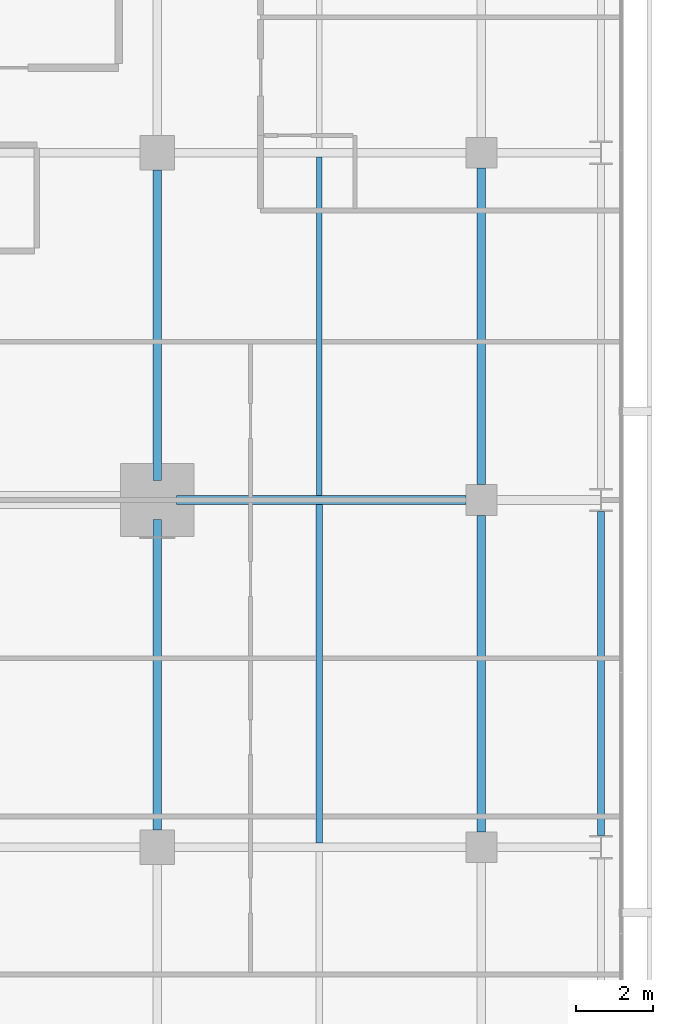
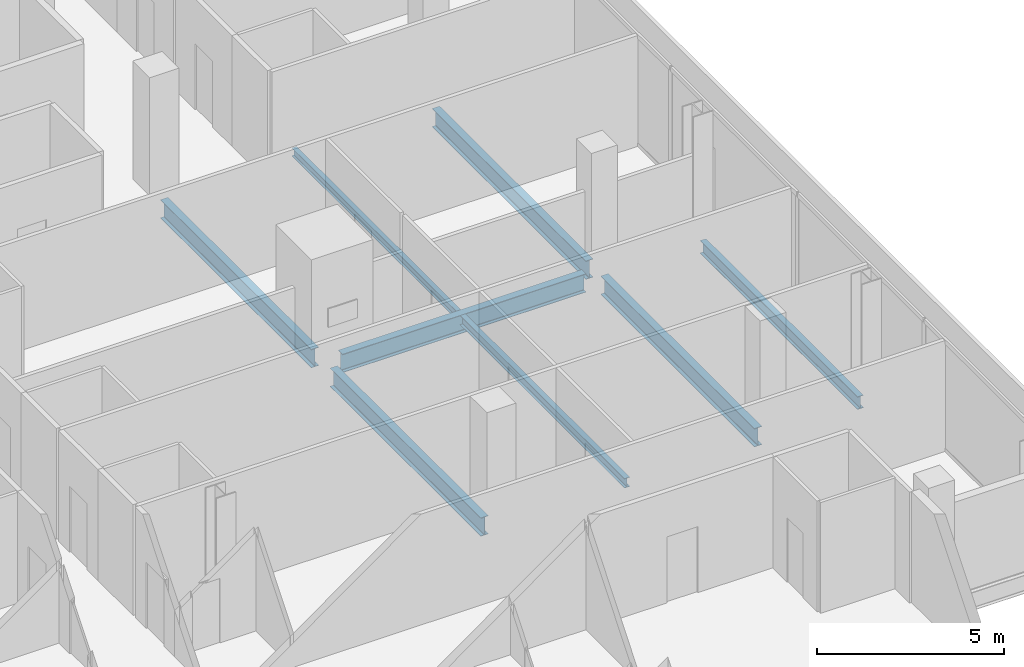
# One storey, part 16 of 34: 8 beams.
"""IFC4 building model written with IfcOpenShell, lengths in metres."""

import ifcopenshell
import ifcopenshell.guid

model = None  # the IFC model being written
_history = None  # IfcOwnerHistory: only IFC2X3 demands one
_inside = {}  # id of a spatial element -> (the spatial element, [elements in it])
_under = {}  # id of a project, library or spatial element -> (it, [spatial elements below it])
_declared = {}  # id of a project -> (the project, [libraries it declares])
_typed = {}  # id of a type object -> (the type object, [elements of that type])
_made_of = {}  # id of a material, layer set ... -> (it, [elements and type objects made of it])


def new_model(schema):
    """Start an empty IFC model of exactly this schema.

    Asked for "IFC4X3", IfcOpenShell would pick the latest addendum, in which some entities
    have other attributes; the version numbers below select the first issue.
    IFC2X3 requires an IfcOwnerHistory on every rooted entity: one is made here for all.
    """
    global model, _history
    if schema == "IFC4X3":
        model = ifcopenshell.file(schema_version=(4, 3, 0, 0))
    else:
        model = ifcopenshell.file(schema=schema)
    _inside.clear()
    _under.clear()
    _declared.clear()
    _typed.clear()
    _made_of.clear()
    _history = None
    if model.schema == "IFC2X3":
        org = make("IfcOrganization", Name="unknown")
        user = make(
            "IfcPersonAndOrganization",
            ThePerson=make("IfcPerson", FamilyName="unknown"),
            TheOrganization=org,
        )
        app = make(
            "IfcApplication",
            ApplicationDeveloper=org,
            Version="unknown",
            ApplicationFullName="unknown",
            ApplicationIdentifier="unknown",
        )
        _history = make(
            "IfcOwnerHistory",
            OwningUser=user,
            OwningApplication=app,
            ChangeAction="ADDED",
            CreationDate=0,
        )
    return model


def make(cls, **values):
    """One entity of the class cls with the attributes given. An attribute that is None is left unset."""
    return model.create_entity(
        cls, **{name: value for name, value in values.items() if value is not None}
    )


def rooted(cls, **values):
    """An entity with a GlobalId (a new one), such as an element, a storey or a relation."""
    return make(cls, GlobalId=ifcopenshell.guid.new(), OwnerHistory=_history, **values)


def si_unit(unit_type, name, prefix=None):
    """IfcSIUnit, for example si_unit("LENGTHUNIT", "METRE", prefix="MILLI")."""
    return make("IfcSIUnit", UnitType=unit_type, Prefix=prefix, Name=name)


def assignment(units):
    """IfcUnitAssignment: the units of a project."""
    return None if units is None else make("IfcUnitAssignment", Units=units)


def point(xyz):
    """IfcCartesianPoint."""
    return None if xyz is None else make("IfcCartesianPoint", Coordinates=xyz)


def direction(xyz):
    """IfcDirection."""
    return None if xyz is None else make("IfcDirection", DirectionRatios=xyz)


def frame(location, z_axis=None, x_axis=None):
    """IfcAxis2Placement3D, a coordinate frame: its origin and axes. An axis left out is left unset."""
    return make(
        "IfcAxis2Placement3D",
        Location=point(location),
        Axis=direction(z_axis),
        RefDirection=direction(x_axis),
    )


def frame_2d(location, x_axis=None):
    """IfcAxis2Placement2D, a coordinate frame in the plane: its origin and x axis."""
    return make(
        "IfcAxis2Placement2D", Location=point(location), RefDirection=direction(x_axis)
    )


def origin():
    """The frame at (0, 0, 0) with its axes left unset."""
    return frame((0.0, 0.0, 0.0))


def origin_2d():
    """The frame at (0, 0) in the plane with its x axis left unset."""
    return frame_2d((0.0, 0.0))


def place(relative_to, where):
    """IfcLocalPlacement: puts the frame where relative to a parent placement (None: the world)."""
    return make(
        "IfcLocalPlacement", PlacementRelTo=relative_to, RelativePlacement=where
    )


def context(
    kind, dimensions, precision=None, world=None, true_north=None, identifier=None
):
    """IfcGeometricRepresentationContext, for example the 3D "Model" context."""
    return make(
        "IfcGeometricRepresentationContext",
        ContextIdentifier=identifier,
        ContextType=kind,
        CoordinateSpaceDimension=dimensions,
        Precision=precision,
        WorldCoordinateSystem=world,
        TrueNorth=true_north,
    )


def subcontext(parent, identifier, kind, view, scale=None):
    """IfcGeometricRepresentationSubContext, for example "Body" below "Model"."""
    return make(
        "IfcGeometricRepresentationSubContext",
        ContextIdentifier=identifier,
        ContextType=kind,
        ParentContext=parent,
        TargetScale=scale,
        TargetView=view,
    )


def project(units=None, contexts=None):
    """IfcProject with its units and contexts."""
    return rooted(
        "IfcProject",
        Name="project",
        RepresentationContexts=contexts,
        UnitsInContext=assignment(units),
    )


def spatial(cls, under=None, at=None, **own):
    """A site, building, storey or space (cls), placed at a placement, below another one or the project."""
    s = rooted(cls, ObjectPlacement=at, **own)
    if under is not None:
        _under.setdefault(under.id(), (under, []))[1].append(s)
    return s


def profile(cls, at=None, kind="AREA", **sizes):
    """A parametric profile (cls). Its sizes go by their IFC names, for example OverallWidth=200.0."""
    return make(cls, ProfileType=kind, Position=at, **sizes)


def i_section(**sizes):
    """IfcIShapeProfileDef."""
    return profile("IfcIShapeProfileDef", **sizes)


def extrude(swept, where, along, depth):
    """IfcExtrudedAreaSolid: the profile swept, set in the frame where, extruded along a direction by depth."""
    return make(
        "IfcExtrudedAreaSolid",
        SweptArea=swept,
        Position=where,
        ExtrudedDirection=direction(along),
        Depth=depth,
    )


def shape(context_of_items, identifier, shape_type, items):
    """IfcShapeRepresentation: the items that make up one representation, for example the "Body"."""
    return make(
        "IfcShapeRepresentation",
        ContextOfItems=context_of_items,
        RepresentationIdentifier=identifier,
        RepresentationType=shape_type,
        Items=items,
    )


def material(Name=None, Category=None):
    """IfcMaterial."""
    return make("IfcMaterial", Name=Name, Category=Category)


def material_profile(
    of_material, cross_section, Name=None, Category=None, Priority=None
):
    """IfcMaterialProfile: a cross section and its material."""
    return make(
        "IfcMaterialProfile",
        Name=Name,
        Material=of_material,
        Profile=cross_section,
        Priority=Priority,
        Category=Category,
    )


def profile_set(profiles, Name=None, composite=None):
    """IfcMaterialProfileSet."""
    return make(
        "IfcMaterialProfileSet",
        Name=Name,
        MaterialProfiles=profiles,
        CompositeProfile=composite,
    )


def made_of(thing, what):
    """Note that an element or type object is made of a material, layer set ...; save() writes the relation."""
    if what is not None:
        _made_of.setdefault(what.id(), (what, []))[1].append(thing)
    return thing


def type_object(cls, material=None, **own):
    """A type object (cls), such as IfcWallType, which elements share."""
    return made_of(rooted(cls, **own), material)


def element(
    cls,
    number,
    at=None,
    inside=None,
    cuts=None,
    type_object=None,
    material=None,
    context=None,
    identifier="Body",
    shape_type=None,
    held_by="IfcProductDefinitionShape",
    body=None,
    shapes=None,
    **own,
):
    """One element of the class cls, such as IfcWall. Its Tag is "e" and its number.

    at: its placement. inside: the storey or other place that contains it. cuts: it is an
    opening in that element (IfcRelVoidsElement). A single representation is given by context,
    identifier, shape_type and body (its items); several are given by shapes. held_by: the class
    of the entity that holds the representations. save() writes the other relations.
    """
    e = rooted(cls, Tag="e%d" % number, ObjectPlacement=at, **own)
    if body is not None:
        shapes = [shape(context, identifier, shape_type, body)]
    if shapes is not None:
        e.Representation = make(held_by, Representations=shapes)
    if inside is not None:
        _inside.setdefault(inside.id(), (inside, []))[1].append(e)
    if cuts is not None:
        rooted(
            "IfcRelVoidsElement", RelatingBuildingElement=cuts, RelatedOpeningElement=e
        )
    if type_object is not None:
        _typed.setdefault(type_object.id(), (type_object, []))[1].append(e)
    return made_of(e, material)


def aggregate(whole, parts):
    """IfcRelAggregates: a whole, such as a stair, and the parts it consists of."""
    return rooted("IfcRelAggregates", RelatingObject=whole, RelatedObjects=parts)


def save(model, path):
    """Write the relations noted so far, then the file.

    IfcRelAggregates (storeys below a building ...), IfcRelContainedInSpatialStructure (elements
    in a storey), IfcRelDefinesByType, IfcRelAssociatesMaterial and IfcRelDeclares: one each for
    every whole, place, type object, material and project.
    """
    for whole, parts in _under.values():
        aggregate(whole, parts)
    for where, things in _inside.values():
        rooted(
            "IfcRelContainedInSpatialStructure",
            RelatedElements=things,
            RelatingStructure=where,
        )
    for kind, things in _typed.values():
        rooted("IfcRelDefinesByType", RelatedObjects=things, RelatingType=kind)
    for what, things in _made_of.values():
        rooted("IfcRelAssociatesMaterial", RelatedObjects=things, RelatingMaterial=what)
    for by, libraries in _declared.values():
        rooted("IfcRelDeclares", RelatingContext=by, RelatedDefinitions=libraries)
    model.write(path)


model = new_model("IFC4")

# Units and contexts
model_context = context("Model", 3, precision=1e-05, world=origin(), true_north=direction((0.0, 1.0)))
body_context = subcontext(model_context, "Body", "Model", "MODEL_VIEW")
ifc_project = project(units=[si_unit("LENGTHUNIT", "METRE"), si_unit("AREAUNIT", "SQUARE_METRE"), si_unit("VOLUMEUNIT", "CUBIC_METRE"), si_unit("PLANEANGLEUNIT", "RADIAN"), si_unit("MASSUNIT", "GRAM", prefix="KILO")], contexts=[model_context])

# Site, building, storey
site_placement = place(None, origin())
site = spatial("IfcSite", under=ifc_project, at=site_placement, CompositionType="ELEMENT")
building_placement = place(site_placement, origin())
building = spatial("IfcBuilding", under=site, at=building_placement, Name="Maruvema Waterfront Hotel and Observation Tower", CompositionType="ELEMENT")
storey_placement = place(building_placement, frame((0.0, 0.0, 177.449951171875)))
storey = spatial("IfcBuildingStorey", under=building, at=storey_placement, Name="L43", CompositionType="ELEMENT", Elevation=177.449951171875)

# Beams
ifc_material_1 = material(Name="Steel ASTM A572 Grade 50", Category="steel")
ifc_material_profile_1 = material_profile(ifc_material_1, i_section(OverallWidth=0.180908203125, OverallDepth=0.4169921875, WebThickness=0.010986328125, FlangeThickness=0.018310546875, FilletRadius=0.014892578125, at=origin_2d()), Name="W410x85.0")
ifc_profile_set_1 = profile_set([ifc_material_profile_1], Name="Steel ASTM A572 Grade 50")
beam_type_1 = type_object("IfcBeamType", Name="Perimeter Spandrel Beam W410x85.0", PredefinedType="SPANDREL", material=ifc_profile_set_1)
beam_1_placement = place(storey_placement, frame((61.89990234375, 18.300048828125, -0.448486328125), z_axis=(0.0, 1.0, 0.0), x_axis=(-1.0, 0.0, 0.0)))
element("IfcBeam", 1, at=beam_1_placement, inside=storey, type_object=beam_type_1, Name="L43 Floor Girder NS-30", PredefinedType="SPANDREL", context=body_context, shape_type="SweptSolid", body=[
    extrude(i_section(OverallWidth=0.180908203125, OverallDepth=0.4169921875, WebThickness=0.010986328125, FlangeThickness=0.018310546875, FilletRadius=0.014892578125, at=origin_2d()), origin(), (0.0, 0.0, 1.0), 8.39990234375),
])
ifc_material_2 = material(Name="Steel ASTM A572 Grade 50", Category="steel")
ifc_material_profile_2 = material_profile(ifc_material_2, i_section(OverallWidth=0.22802734375, OverallDepth=0.60302734375, WebThickness=0.010498046875, FlangeThickness=0.014892578125, FilletRadius=0.01806640625, at=origin_2d()), Name="W610x101.0")
ifc_profile_set_2 = profile_set([ifc_material_profile_2], Name="Steel ASTM A572 Grade 50")
beam_type_2 = type_object("IfcBeamType", Name="Primary Floor Girder W610x101.0", PredefinedType="BEAM", material=ifc_profile_set_2)
beam_2_placement = place(storey_placement, frame((50.89990234375, 27.0, -0.54150390625), z_axis=(1.0, 0.0, 0.0), x_axis=(0.0, 1.0, 0.0)))
element("IfcBeam", 2, at=beam_2_placement, inside=storey, type_object=beam_type_2, Name="L43 Floor Girder EW-21", PredefinedType="BEAM", context=body_context, shape_type="SweptSolid", body=[
    extrude(i_section(OverallWidth=0.22802734375, OverallDepth=0.60302734375, WebThickness=0.010498046875, FlangeThickness=0.014892578125, FilletRadius=0.01806640625, at=origin_2d()), origin(), (0.0, 0.0, 1.0), 7.5),
])
for number, where, z_axis, x_axis, name in (
    (3, (50.39990234375, 18.449951171875, -0.54150390625), (0.0, 1.0, 0.0), (-1.0, 0.0, 0.0), "L43 Floor Girder NS-22"),
    (4, (50.39990234375, 27.5, -0.54150390625), (0.0, 1.0, 0.0), (-1.0, 0.0, 0.0), "L43 Floor Girder NS-23"),
):
    element("IfcBeam", number, at=place(storey_placement, frame(where, z_axis=z_axis, x_axis=x_axis)), inside=storey, type_object=beam_type_2, Name=name, PredefinedType="BEAM", context=body_context, shape_type="SweptSolid", body=[
        extrude(i_section(OverallWidth=0.22802734375, OverallDepth=0.60302734375, WebThickness=0.010498046875, FlangeThickness=0.014892578125, FilletRadius=0.01806640625, at=origin_2d()), origin(), (0.0, 0.0, 1.0), 8.050048828125),
    ])
for number, where, z_axis, x_axis, name in (
    (5, (58.800048828125, 18.39990234375, -0.54150390625), (0.0, 1.0, 0.0), (-1.0, 0.0, 0.0), "L43 Floor Girder NS-26"),
    (6, (58.800048828125, 27.39990234375, -0.54150390625), (0.0, 1.0, 0.0), (-1.0, 0.0, 0.0), "L43 Floor Girder NS-27"),
):
    element("IfcBeam", number, at=place(storey_placement, frame(where, z_axis=z_axis, x_axis=x_axis)), inside=storey, type_object=beam_type_2, Name=name, PredefinedType="BEAM", context=body_context, shape_type="SweptSolid", body=[
        extrude(i_section(OverallWidth=0.22802734375, OverallDepth=0.60302734375, WebThickness=0.010498046875, FlangeThickness=0.014892578125, FilletRadius=0.01806640625, at=origin_2d()), origin(), (0.0, 0.0, 1.0), 8.2001953125),
    ])
ifc_material_3 = material(Name="Steel ASTM A572 Grade 50", Category="steel")
ifc_material_profile_3 = material_profile(ifc_material_3, i_section(OverallWidth=0.14794921875, OverallDepth=0.26611328125, WebThickness=0.007568359375, FlangeThickness=0.012939453125, FilletRadius=0.012939453125, at=origin_2d()), Name="W250x44.8")
ifc_profile_set_3 = profile_set([ifc_material_profile_3], Name="Steel ASTM A572 Grade 50")
beam_type_3 = type_object("IfcBeamType", Name="Secondary Floor Joist W250x44.8", PredefinedType="JOIST", material=ifc_profile_set_3)
beam_3_placement = place(storey_placement, frame((54.60009765625, 27.114013671875, -0.373046875), z_axis=(0.0, 1.0, 0.0), x_axis=(-1.0, 0.0, 0.0)))
element("IfcBeam", 7, at=beam_3_placement, inside=storey, type_object=beam_type_3, Name="L43 Secondary Floor Joist JS-13", PredefinedType="JOIST", context=body_context, shape_type="SweptSolid", body=[
    extrude(i_section(OverallWidth=0.14794921875, OverallDepth=0.26611328125, WebThickness=0.007568359375, FlangeThickness=0.012939453125, FilletRadius=0.012939453125, at=origin_2d()), origin(), (0.0, 0.0, 1.0), 8.77197265625),
])
ifc_material_4 = material(Name="Steel ASTM A572 Grade 50", Category="steel")
ifc_material_profile_4 = material_profile(ifc_material_4, i_section(OverallWidth=0.1650390625, OverallDepth=0.31005859375, WebThickness=0.005859375, FlangeThickness=0.009765625, FilletRadius=0.012939453125, at=origin_2d()), Name="W310x38.7")
ifc_profile_set_4 = profile_set([ifc_material_profile_4], Name="Steel ASTM A572 Grade 50")
beam_type_4 = type_object("IfcBeamType", Name="Secondary Floor Joist W310x38.7", PredefinedType="JOIST", material=ifc_profile_set_4)
beam_4_placement = place(storey_placement, frame((54.60009765625, 18.114013671875, -0.39501953125), z_axis=(0.0, 1.0, 0.0), x_axis=(-1.0, 0.0, 0.0)))
element("IfcBeam", 8, at=beam_4_placement, inside=storey, type_object=beam_type_4, Name="L43 Secondary Floor Joist JS-12", PredefinedType="JOIST", context=body_context, shape_type="SweptSolid", body=[
    extrude(i_section(OverallWidth=0.1650390625, OverallDepth=0.31005859375, WebThickness=0.005859375, FlangeThickness=0.009765625, FilletRadius=0.012939453125, at=origin_2d()), origin(), (0.0, 0.0, 1.0), 8.77197265625),
])

save(model, "model.ifc")
